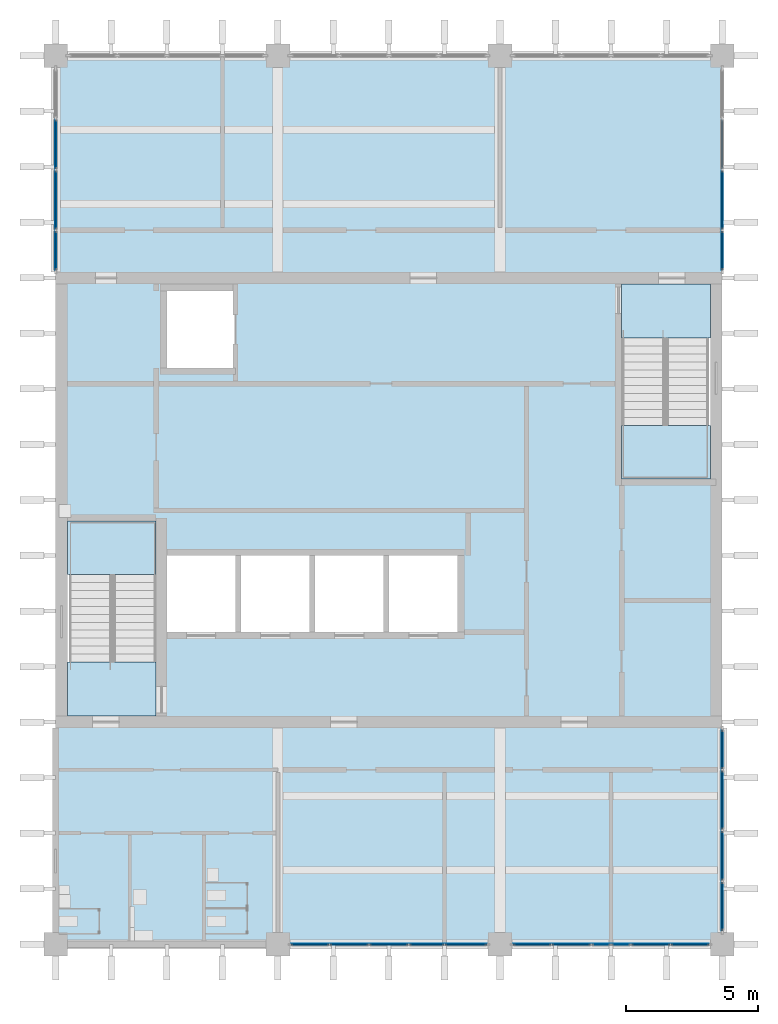
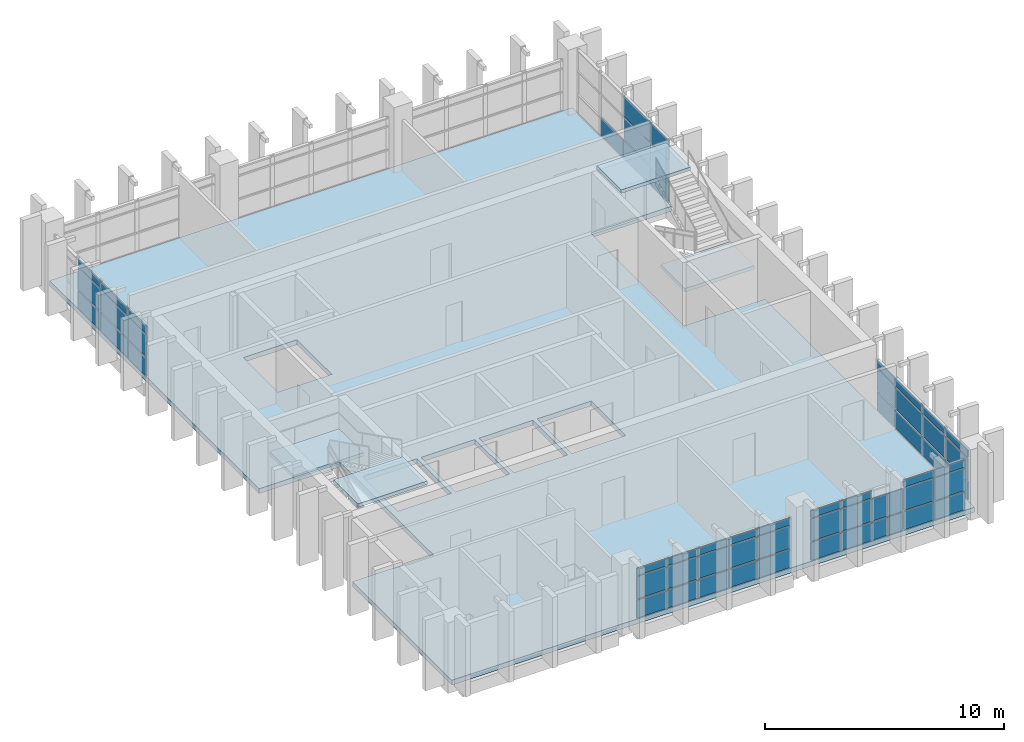
# One storey, part 5 of 11: 59 plates, 5 slabs, 7 elements without a shape of their own.
"""IFC4 building model written with IfcOpenShell, lengths in metres."""

import ifcopenshell
import ifcopenshell.guid

model = None  # the IFC model being written
_history = None  # IfcOwnerHistory: only IFC2X3 demands one
_inside = {}  # id of a spatial element -> (the spatial element, [elements in it])
_under = {}  # id of a project, library or spatial element -> (it, [spatial elements below it])
_declared = {}  # id of a project -> (the project, [libraries it declares])
_typed = {}  # id of a type object -> (the type object, [elements of that type])
_made_of = {}  # id of a material, layer set ... -> (it, [elements and type objects made of it])


def new_model(schema):
    """Start an empty IFC model of exactly this schema.

    Asked for "IFC4X3", IfcOpenShell would pick the latest addendum, in which some entities
    have other attributes; the version numbers below select the first issue.
    IFC2X3 requires an IfcOwnerHistory on every rooted entity: one is made here for all.
    """
    global model, _history
    if schema == "IFC4X3":
        model = ifcopenshell.file(schema_version=(4, 3, 0, 0))
    else:
        model = ifcopenshell.file(schema=schema)
    _inside.clear()
    _under.clear()
    _declared.clear()
    _typed.clear()
    _made_of.clear()
    _history = None
    if model.schema == "IFC2X3":
        org = make("IfcOrganization", Name="unknown")
        user = make(
            "IfcPersonAndOrganization",
            ThePerson=make("IfcPerson", FamilyName="unknown"),
            TheOrganization=org,
        )
        app = make(
            "IfcApplication",
            ApplicationDeveloper=org,
            Version="unknown",
            ApplicationFullName="unknown",
            ApplicationIdentifier="unknown",
        )
        _history = make(
            "IfcOwnerHistory",
            OwningUser=user,
            OwningApplication=app,
            ChangeAction="ADDED",
            CreationDate=0,
        )
    return model


def make(cls, **values):
    """One entity of the class cls with the attributes given. An attribute that is None is left unset."""
    return model.create_entity(
        cls, **{name: value for name, value in values.items() if value is not None}
    )


def rooted(cls, **values):
    """An entity with a GlobalId (a new one), such as an element, a storey or a relation."""
    return make(cls, GlobalId=ifcopenshell.guid.new(), OwnerHistory=_history, **values)


def si_unit(unit_type, name, prefix=None):
    """IfcSIUnit, for example si_unit("LENGTHUNIT", "METRE", prefix="MILLI")."""
    return make("IfcSIUnit", UnitType=unit_type, Prefix=prefix, Name=name)


def assignment(units):
    """IfcUnitAssignment: the units of a project."""
    return None if units is None else make("IfcUnitAssignment", Units=units)


def point(xyz):
    """IfcCartesianPoint."""
    return None if xyz is None else make("IfcCartesianPoint", Coordinates=xyz)


def direction(xyz):
    """IfcDirection."""
    return None if xyz is None else make("IfcDirection", DirectionRatios=xyz)


def frame(location, z_axis=None, x_axis=None):
    """IfcAxis2Placement3D, a coordinate frame: its origin and axes. An axis left out is left unset."""
    return make(
        "IfcAxis2Placement3D",
        Location=point(location),
        Axis=direction(z_axis),
        RefDirection=direction(x_axis),
    )


def frame_2d(location, x_axis=None):
    """IfcAxis2Placement2D, a coordinate frame in the plane: its origin and x axis."""
    return make(
        "IfcAxis2Placement2D", Location=point(location), RefDirection=direction(x_axis)
    )


def origin():
    """The frame at (0, 0, 0) with its axes left unset."""
    return frame((0.0, 0.0, 0.0))


def origin_2d():
    """The frame at (0, 0) in the plane with its x axis left unset."""
    return frame_2d((0.0, 0.0))


def place(relative_to, where):
    """IfcLocalPlacement: puts the frame where relative to a parent placement (None: the world)."""
    return make(
        "IfcLocalPlacement", PlacementRelTo=relative_to, RelativePlacement=where
    )


def context(
    kind, dimensions, precision=None, world=None, true_north=None, identifier=None
):
    """IfcGeometricRepresentationContext, for example the 3D "Model" context."""
    return make(
        "IfcGeometricRepresentationContext",
        ContextIdentifier=identifier,
        ContextType=kind,
        CoordinateSpaceDimension=dimensions,
        Precision=precision,
        WorldCoordinateSystem=world,
        TrueNorth=true_north,
    )


def subcontext(parent, identifier, kind, view, scale=None):
    """IfcGeometricRepresentationSubContext, for example "Body" below "Model"."""
    return make(
        "IfcGeometricRepresentationSubContext",
        ContextIdentifier=identifier,
        ContextType=kind,
        ParentContext=parent,
        TargetScale=scale,
        TargetView=view,
    )


def project(units=None, contexts=None):
    """IfcProject with its units and contexts."""
    return rooted(
        "IfcProject",
        Name="project",
        RepresentationContexts=contexts,
        UnitsInContext=assignment(units),
    )


def spatial(cls, under=None, at=None, **own):
    """A site, building, storey or space (cls), placed at a placement, below another one or the project."""
    s = rooted(cls, ObjectPlacement=at, **own)
    if under is not None:
        _under.setdefault(under.id(), (under, []))[1].append(s)
    return s


def polyline(points):
    """IfcPolyline through the points."""
    return make("IfcPolyline", Points=[point(p) for p in points])


def profile(cls, at=None, kind="AREA", **sizes):
    """A parametric profile (cls). Its sizes go by their IFC names, for example OverallWidth=200.0."""
    return make(cls, ProfileType=kind, Position=at, **sizes)


def rectangle(**sizes):
    """IfcRectangleProfileDef."""
    return profile("IfcRectangleProfileDef", **sizes)


def outline(outer, holes=None, kind="AREA"):
    """IfcArbitraryClosedProfileDef: a profile drawn as a closed curve; with holes, ...WithVoids."""
    if holes is None:
        return make("IfcArbitraryClosedProfileDef", ProfileType=kind, OuterCurve=outer)
    return make(
        "IfcArbitraryProfileDefWithVoids",
        ProfileType=kind,
        OuterCurve=outer,
        InnerCurves=holes,
    )


def extrude(swept, where, along, depth):
    """IfcExtrudedAreaSolid: the profile swept, set in the frame where, extruded along a direction by depth."""
    return make(
        "IfcExtrudedAreaSolid",
        SweptArea=swept,
        Position=where,
        ExtrudedDirection=direction(along),
        Depth=depth,
    )


def shape(context_of_items, identifier, shape_type, items):
    """IfcShapeRepresentation: the items that make up one representation, for example the "Body"."""
    return make(
        "IfcShapeRepresentation",
        ContextOfItems=context_of_items,
        RepresentationIdentifier=identifier,
        RepresentationType=shape_type,
        Items=items,
    )


def material(Name=None, Category=None):
    """IfcMaterial."""
    return make("IfcMaterial", Name=Name, Category=Category)


def layer(
    of_material, thickness, ventilated=None, Name=None, Category=None, Priority=None
):
    """IfcMaterialLayer: one layer of a wall or slab, of a material (None: an air gap)."""
    return make(
        "IfcMaterialLayer",
        Material=of_material,
        LayerThickness=thickness,
        IsVentilated=ventilated,
        Name=Name,
        Category=Category,
        Priority=Priority,
    )


def layer_set(layers, Name=None):
    """IfcMaterialLayerSet."""
    return make("IfcMaterialLayerSet", MaterialLayers=layers, LayerSetName=Name)


def made_of(thing, what):
    """Note that an element or type object is made of a material, layer set ...; save() writes the relation."""
    if what is not None:
        _made_of.setdefault(what.id(), (what, []))[1].append(thing)
    return thing


def type_object(cls, material=None, **own):
    """A type object (cls), such as IfcWallType, which elements share."""
    return made_of(rooted(cls, **own), material)


def element(
    cls,
    number,
    at=None,
    inside=None,
    cuts=None,
    type_object=None,
    material=None,
    context=None,
    identifier="Body",
    shape_type=None,
    held_by="IfcProductDefinitionShape",
    body=None,
    shapes=None,
    **own,
):
    """One element of the class cls, such as IfcWall. Its Tag is "e" and its number.

    at: its placement. inside: the storey or other place that contains it. cuts: it is an
    opening in that element (IfcRelVoidsElement). A single representation is given by context,
    identifier, shape_type and body (its items); several are given by shapes. held_by: the class
    of the entity that holds the representations. save() writes the other relations.
    """
    e = rooted(cls, Tag="e%d" % number, ObjectPlacement=at, **own)
    if body is not None:
        shapes = [shape(context, identifier, shape_type, body)]
    if shapes is not None:
        e.Representation = make(held_by, Representations=shapes)
    if inside is not None:
        _inside.setdefault(inside.id(), (inside, []))[1].append(e)
    if cuts is not None:
        rooted(
            "IfcRelVoidsElement", RelatingBuildingElement=cuts, RelatedOpeningElement=e
        )
    if type_object is not None:
        _typed.setdefault(type_object.id(), (type_object, []))[1].append(e)
    return made_of(e, material)


def aggregate(whole, parts):
    """IfcRelAggregates: a whole, such as a stair, and the parts it consists of."""
    return rooted("IfcRelAggregates", RelatingObject=whole, RelatedObjects=parts)


def save(model, path):
    """Write the relations noted so far, then the file.

    IfcRelAggregates (storeys below a building ...), IfcRelContainedInSpatialStructure (elements
    in a storey), IfcRelDefinesByType, IfcRelAssociatesMaterial and IfcRelDeclares: one each for
    every whole, place, type object, material and project.
    """
    for whole, parts in _under.values():
        aggregate(whole, parts)
    for where, things in _inside.values():
        rooted(
            "IfcRelContainedInSpatialStructure",
            RelatedElements=things,
            RelatingStructure=where,
        )
    for kind, things in _typed.values():
        rooted("IfcRelDefinesByType", RelatedObjects=things, RelatingType=kind)
    for what, things in _made_of.values():
        rooted("IfcRelAssociatesMaterial", RelatedObjects=things, RelatingMaterial=what)
    for by, libraries in _declared.values():
        rooted("IfcRelDeclares", RelatingContext=by, RelatedDefinitions=libraries)
    model.write(path)


model = new_model("IFC4")

# Units and contexts
model_context = context("Model", 3, precision=1e-05, world=origin(), true_north=direction((0.0, 1.0)))
body_context = subcontext(model_context, "Body", "Model", "MODEL_VIEW")
ifc_project = project(units=[si_unit("LENGTHUNIT", "METRE"), si_unit("AREAUNIT", "SQUARE_METRE"), si_unit("VOLUMEUNIT", "CUBIC_METRE"), si_unit("PLANEANGLEUNIT", "RADIAN"), si_unit("MASSUNIT", "GRAM", prefix="KILO")], contexts=[model_context])

# Site, building, storey
site_placement = place(None, origin())
site = spatial("IfcSite", under=ifc_project, at=site_placement, CompositionType="ELEMENT")
building_placement = place(site_placement, origin())
building = spatial("IfcBuilding", under=site, at=building_placement, Name="Rulbaag Community and Learning Centre", CompositionType="ELEMENT")
storey_placement = place(building_placement, frame((0.0, 0.0, 32.39990234375)))
storey = spatial("IfcBuildingStorey", under=building, at=storey_placement, Name="L08", CompositionType="ELEMENT", Elevation=32.39990234375)

# Curtain wall, plates
ifc_material_1 = material(Name="Aluminium", Category="aluminium")
ifc_layer_1 = layer(ifc_material_1, 0.14990234375)
ifc_layer_set_1 = layer_set([ifc_layer_1], Name="CW-S")
curtain_wall_type_1 = type_object("IfcCurtainWallType", Name="CW-S", PredefinedType="USERDEFINED", material=ifc_layer_set_1)
curtain_wall_1_placement = place(storey_placement, origin())
curtain_wall_1 = element("IfcCurtainWall", 1, at=curtain_wall_1_placement, inside=storey, type_object=curtain_wall_type_1, Name="GS-L08-01", ObjectType="UNITISED CURTAIN WALL", PredefinedType="USERDEFINED")
ifc_layer_2 = layer(ifc_material_1, 0.054931640625)
ifc_layer_set_2 = layer_set([ifc_layer_2], Name="CW-S-SPN")
plate_type_1 = type_object("IfcPlateType", Name="CW-S-SPN", PredefinedType="CURTAIN_PANEL", material=ifc_layer_set_2)
plate_1_placement = place(storey_placement, frame((152.4150390625, 84.0, 0.06005859375), z_axis=(0.0, 0.0, 1.0), x_axis=(1.0, 0.0, 0.0)))
plate_1 = element("IfcPlate", 2, at=plate_1_placement, type_object=plate_type_1, Name="GS spandrel panel", PredefinedType="CURTAIN_PANEL", context=body_context, shape_type="SweptSolid", body=[
    extrude(rectangle(XDim=1.409912109375, YDim=0.054931640625, at=origin_2d()), origin(), (0.0, 0.0, 1.0), 0.909912109375),
])
plate_2_placement = place(storey_placement, frame((152.4150390625, 84.0, 2.22998046875), z_axis=(0.0, 0.0, 1.0), x_axis=(1.0, 0.0, 0.0)))
plate_2 = element("IfcPlate", 3, at=plate_2_placement, type_object=plate_type_1, Name="GS spandrel panel", PredefinedType="CURTAIN_PANEL", context=body_context, shape_type="SweptSolid", body=[
    extrude(rectangle(XDim=1.409912109375, YDim=0.054931640625, at=origin_2d()), origin(), (0.0, 0.0, 1.0), 0.360107421875),
])
plate_3_placement = place(storey_placement, frame((153.89990234375, 84.0, 0.06005859375), z_axis=(0.0, 0.0, 1.0), x_axis=(1.0, 0.0, 0.0)))
plate_3 = element("IfcPlate", 4, at=plate_3_placement, type_object=plate_type_1, Name="GS spandrel panel", PredefinedType="CURTAIN_PANEL", context=body_context, shape_type="SweptSolid", body=[
    extrude(rectangle(XDim=1.43994140625, YDim=0.054931640625, at=origin_2d()), origin(), (0.0, 0.0, 1.0), 0.909912109375),
])
plate_4_placement = place(storey_placement, frame((153.89990234375, 84.0, 2.22998046875), z_axis=(0.0, 0.0, 1.0), x_axis=(1.0, 0.0, 0.0)))
plate_4 = element("IfcPlate", 5, at=plate_4_placement, type_object=plate_type_1, Name="GS spandrel panel", PredefinedType="CURTAIN_PANEL", context=body_context, shape_type="SweptSolid", body=[
    extrude(rectangle(XDim=1.43994140625, YDim=0.054931640625, at=origin_2d()), origin(), (0.0, 0.0, 1.0), 0.360107421875),
])
plate_5_placement = place(storey_placement, frame((155.39990234375, 84.0, 0.06005859375), z_axis=(0.0, 0.0, 1.0), x_axis=(1.0, 0.0, 0.0)))
plate_5 = element("IfcPlate", 6, at=plate_5_placement, type_object=plate_type_1, Name="GS spandrel panel", PredefinedType="CURTAIN_PANEL", context=body_context, shape_type="SweptSolid", body=[
    extrude(rectangle(XDim=1.43994140625, YDim=0.054931640625, at=origin_2d()), origin(), (0.0, 0.0, 1.0), 0.909912109375),
])
plate_6_placement = place(storey_placement, frame((155.39990234375, 84.0, 2.22998046875), z_axis=(0.0, 0.0, 1.0), x_axis=(1.0, 0.0, 0.0)))
plate_6 = element("IfcPlate", 7, at=plate_6_placement, type_object=plate_type_1, Name="GS spandrel panel", PredefinedType="CURTAIN_PANEL", context=body_context, shape_type="SweptSolid", body=[
    extrude(rectangle(XDim=1.43994140625, YDim=0.054931640625, at=origin_2d()), origin(), (0.0, 0.0, 1.0), 0.360107421875),
])
plate_7_placement = place(storey_placement, frame((156.824951171875, 84.0, 0.06005859375), z_axis=(0.0, 0.0, 1.0), x_axis=(1.0, 0.0, 0.0)))
plate_7 = element("IfcPlate", 8, at=plate_7_placement, type_object=plate_type_1, Name="GS spandrel panel", PredefinedType="CURTAIN_PANEL", context=body_context, shape_type="SweptSolid", body=[
    extrude(rectangle(XDim=1.2900390625, YDim=0.054931640625, at=origin_2d()), origin(), (0.0, 0.0, 1.0), 0.909912109375),
])
plate_8_placement = place(storey_placement, frame((156.824951171875, 84.0, 2.22998046875), z_axis=(0.0, 0.0, 1.0), x_axis=(1.0, 0.0, 0.0)))
plate_8 = element("IfcPlate", 9, at=plate_8_placement, type_object=plate_type_1, Name="GS spandrel panel", PredefinedType="CURTAIN_PANEL", context=body_context, shape_type="SweptSolid", body=[
    extrude(rectangle(XDim=1.2900390625, YDim=0.054931640625, at=origin_2d()), origin(), (0.0, 0.0, 1.0), 0.360107421875),
])
plate_9_placement = place(storey_placement, frame((158.31005859375, 84.0, 0.06005859375), z_axis=(0.0, 0.0, 1.0), x_axis=(1.0, 0.0, 0.0)))
plate_9 = element("IfcPlate", 10, at=plate_9_placement, type_object=plate_type_1, Name="GS spandrel panel", PredefinedType="CURTAIN_PANEL", context=body_context, shape_type="SweptSolid", body=[
    extrude(rectangle(XDim=1.56005859375, YDim=0.054931640625, at=origin_2d()), origin(), (0.0, 0.0, 1.0), 0.909912109375),
])
plate_10_placement = place(storey_placement, frame((158.31005859375, 84.0, 2.22998046875), z_axis=(0.0, 0.0, 1.0), x_axis=(1.0, 0.0, 0.0)))
plate_10 = element("IfcPlate", 11, at=plate_10_placement, type_object=plate_type_1, Name="GS spandrel panel", PredefinedType="CURTAIN_PANEL", context=body_context, shape_type="SweptSolid", body=[
    extrude(rectangle(XDim=1.56005859375, YDim=0.054931640625, at=origin_2d()), origin(), (0.0, 0.0, 1.0), 0.360107421875),
])

curtain_wall_2_placement = place(storey_placement, origin())
curtain_wall_2 = element("IfcCurtainWall", 12, at=curtain_wall_2_placement, inside=storey, type_object=curtain_wall_type_1, Name="GS-L08-02", ObjectType="UNITISED CURTAIN WALL", PredefinedType="USERDEFINED")
plate_11_placement = place(storey_placement, frame((160.81494140625, 84.0, 0.06005859375), z_axis=(0.0, 0.0, 1.0), x_axis=(1.0, 0.0, 0.0)))
plate_11 = element("IfcPlate", 13, at=plate_11_placement, type_object=plate_type_1, Name="GS spandrel panel", PredefinedType="CURTAIN_PANEL", context=body_context, shape_type="SweptSolid", body=[
    extrude(rectangle(XDim=1.409912109375, YDim=0.054931640625, at=origin_2d()), origin(), (0.0, 0.0, 1.0), 0.909912109375),
])
plate_12_placement = place(storey_placement, frame((160.81494140625, 84.0, 2.22998046875), z_axis=(0.0, 0.0, 1.0), x_axis=(1.0, 0.0, 0.0)))
plate_12 = element("IfcPlate", 14, at=plate_12_placement, type_object=plate_type_1, Name="GS spandrel panel", PredefinedType="CURTAIN_PANEL", context=body_context, shape_type="SweptSolid", body=[
    extrude(rectangle(XDim=1.409912109375, YDim=0.054931640625, at=origin_2d()), origin(), (0.0, 0.0, 1.0), 0.360107421875),
])
plate_13_placement = place(storey_placement, frame((162.300048828125, 84.0, 0.06005859375), z_axis=(0.0, 0.0, 1.0), x_axis=(1.0, 0.0, 0.0)))
plate_13 = element("IfcPlate", 15, at=plate_13_placement, type_object=plate_type_1, Name="GS spandrel panel", PredefinedType="CURTAIN_PANEL", context=body_context, shape_type="SweptSolid", body=[
    extrude(rectangle(XDim=1.43994140625, YDim=0.054931640625, at=origin_2d()), origin(), (0.0, 0.0, 1.0), 0.909912109375),
])
plate_14_placement = place(storey_placement, frame((162.300048828125, 84.0, 2.22998046875), z_axis=(0.0, 0.0, 1.0), x_axis=(1.0, 0.0, 0.0)))
plate_14 = element("IfcPlate", 16, at=plate_14_placement, type_object=plate_type_1, Name="GS spandrel panel", PredefinedType="CURTAIN_PANEL", context=body_context, shape_type="SweptSolid", body=[
    extrude(rectangle(XDim=1.43994140625, YDim=0.054931640625, at=origin_2d()), origin(), (0.0, 0.0, 1.0), 0.360107421875),
])
plate_15_placement = place(storey_placement, frame((163.425048828125, 84.0, 0.06005859375), z_axis=(0.0, 0.0, 1.0), x_axis=(1.0, 0.0, 0.0)))
plate_15 = element("IfcPlate", 17, at=plate_15_placement, type_object=plate_type_1, Name="GS spandrel panel", PredefinedType="CURTAIN_PANEL", context=body_context, shape_type="SweptSolid", body=[
    extrude(rectangle(XDim=0.68994140625, YDim=0.054931640625, at=origin_2d()), origin(), (0.0, 0.0, 1.0), 0.909912109375),
])
plate_16_placement = place(storey_placement, frame((164.175048828125, 84.0, 0.06005859375), z_axis=(0.0, 0.0, 1.0), x_axis=(1.0, 0.0, 0.0)))
plate_16 = element("IfcPlate", 18, at=plate_16_placement, type_object=plate_type_1, Name="GS spandrel panel", PredefinedType="CURTAIN_PANEL", context=body_context, shape_type="SweptSolid", body=[
    extrude(rectangle(XDim=0.68994140625, YDim=0.054931640625, at=origin_2d()), origin(), (0.0, 0.0, 1.0), 0.909912109375),
])
plate_17_placement = place(storey_placement, frame((165.300048828125, 84.0, 0.06005859375), z_axis=(0.0, 0.0, 1.0), x_axis=(1.0, 0.0, 0.0)))
plate_17 = element("IfcPlate", 19, at=plate_17_placement, type_object=plate_type_1, Name="GS spandrel panel", PredefinedType="CURTAIN_PANEL", context=body_context, shape_type="SweptSolid", body=[
    extrude(rectangle(XDim=1.43994140625, YDim=0.054931640625, at=origin_2d()), origin(), (0.0, 0.0, 1.0), 0.909912109375),
])
plate_18_placement = place(storey_placement, frame((165.300048828125, 84.0, 2.22998046875), z_axis=(0.0, 0.0, 1.0), x_axis=(1.0, 0.0, 0.0)))
plate_18 = element("IfcPlate", 20, at=plate_18_placement, type_object=plate_type_1, Name="GS spandrel panel", PredefinedType="CURTAIN_PANEL", context=body_context, shape_type="SweptSolid", body=[
    extrude(rectangle(XDim=1.43994140625, YDim=0.054931640625, at=origin_2d()), origin(), (0.0, 0.0, 1.0), 0.360107421875),
])
plate_19_placement = place(storey_placement, frame((166.784912109375, 84.0, 0.06005859375), z_axis=(0.0, 0.0, 1.0), x_axis=(1.0, 0.0, 0.0)))
plate_19 = element("IfcPlate", 21, at=plate_19_placement, type_object=plate_type_1, Name="GS spandrel panel", PredefinedType="CURTAIN_PANEL", context=body_context, shape_type="SweptSolid", body=[
    extrude(rectangle(XDim=1.409912109375, YDim=0.054931640625, at=origin_2d()), origin(), (0.0, 0.0, 1.0), 0.909912109375),
])
plate_20_placement = place(storey_placement, frame((166.784912109375, 84.0, 2.22998046875), z_axis=(0.0, 0.0, 1.0), x_axis=(1.0, 0.0, 0.0)))
plate_20 = element("IfcPlate", 22, at=plate_20_placement, type_object=plate_type_1, Name="GS spandrel panel", PredefinedType="CURTAIN_PANEL", context=body_context, shape_type="SweptSolid", body=[
    extrude(rectangle(XDim=1.409912109375, YDim=0.054931640625, at=origin_2d()), origin(), (0.0, 0.0, 1.0), 0.360107421875),
])

# Plate
ifc_material_2 = material(Name="Glass", Category="glass")
ifc_layer_3 = layer(ifc_material_2, 0.030029296875)
ifc_layer_set_3 = layer_set([ifc_layer_3], Name="CW-S-VIS")
plate_type_2 = type_object("IfcPlateType", Name="CW-S-VIS", PredefinedType="CURTAIN_PANEL", material=ifc_layer_set_3)
plate_21_placement = place(storey_placement, frame((152.4150390625, 84.0, 1.0302734375), z_axis=(0.0, 0.0, 1.0), x_axis=(1.0, 0.0, 0.0)))
plate_21 = element("IfcPlate", 23, at=plate_21_placement, type_object=plate_type_2, Name="GS vision panel", PredefinedType="CURTAIN_PANEL", context=body_context, shape_type="SweptSolid", body=[
    extrude(rectangle(XDim=1.409912109375, YDim=0.030029296875, at=origin_2d()), origin(), (0.0, 0.0, 1.0), 1.139892578125),
])

plate_22_placement = place(storey_placement, frame((153.89990234375, 84.0, 1.0302734375), z_axis=(0.0, 0.0, 1.0), x_axis=(1.0, 0.0, 0.0)))
plate_22 = element("IfcPlate", 24, at=plate_22_placement, type_object=plate_type_2, Name="GS vision panel", PredefinedType="CURTAIN_PANEL", context=body_context, shape_type="SweptSolid", body=[
    extrude(rectangle(XDim=1.43994140625, YDim=0.030029296875, at=origin_2d()), origin(), (0.0, 0.0, 1.0), 1.139892578125),
])

plate_23_placement = place(storey_placement, frame((155.39990234375, 84.0, 1.0302734375), z_axis=(0.0, 0.0, 1.0), x_axis=(1.0, 0.0, 0.0)))
plate_23 = element("IfcPlate", 25, at=plate_23_placement, type_object=plate_type_2, Name="GS vision panel", PredefinedType="CURTAIN_PANEL", context=body_context, shape_type="SweptSolid", body=[
    extrude(rectangle(XDim=1.43994140625, YDim=0.030029296875, at=origin_2d()), origin(), (0.0, 0.0, 1.0), 1.139892578125),
])

plate_24_placement = place(storey_placement, frame((156.824951171875, 84.0, 1.0302734375), z_axis=(0.0, 0.0, 1.0), x_axis=(1.0, 0.0, 0.0)))
plate_24 = element("IfcPlate", 26, at=plate_24_placement, type_object=plate_type_2, Name="GS vision panel", PredefinedType="CURTAIN_PANEL", context=body_context, shape_type="SweptSolid", body=[
    extrude(rectangle(XDim=1.2900390625, YDim=0.030029296875, at=origin_2d()), origin(), (0.0, 0.0, 1.0), 1.139892578125),
])

plate_25_placement = place(storey_placement, frame((158.31005859375, 84.0, 1.0302734375), z_axis=(0.0, 0.0, 1.0), x_axis=(1.0, 0.0, 0.0)))
plate_25 = element("IfcPlate", 27, at=plate_25_placement, type_object=plate_type_2, Name="GS vision panel", PredefinedType="CURTAIN_PANEL", context=body_context, shape_type="SweptSolid", body=[
    extrude(rectangle(XDim=1.56005859375, YDim=0.030029296875, at=origin_2d()), origin(), (0.0, 0.0, 1.0), 1.139892578125),
])

aggregate(curtain_wall_1, [plate_1, plate_21, plate_2, plate_3, plate_22, plate_4, plate_5, plate_23, plate_6, plate_7, plate_24, plate_8, plate_9, plate_25, plate_10])

plate_26_placement = place(storey_placement, frame((160.81494140625, 84.0, 1.0302734375), z_axis=(0.0, 0.0, 1.0), x_axis=(1.0, 0.0, 0.0)))
plate_26 = element("IfcPlate", 28, at=plate_26_placement, type_object=plate_type_2, Name="GS vision panel", PredefinedType="CURTAIN_PANEL", context=body_context, shape_type="SweptSolid", body=[
    extrude(rectangle(XDim=1.409912109375, YDim=0.030029296875, at=origin_2d()), origin(), (0.0, 0.0, 1.0), 1.139892578125),
])

plate_27_placement = place(storey_placement, frame((162.300048828125, 84.0, 1.0302734375), z_axis=(0.0, 0.0, 1.0), x_axis=(1.0, 0.0, 0.0)))
plate_27 = element("IfcPlate", 29, at=plate_27_placement, type_object=plate_type_2, Name="GS vision panel", PredefinedType="CURTAIN_PANEL", context=body_context, shape_type="SweptSolid", body=[
    extrude(rectangle(XDim=1.43994140625, YDim=0.030029296875, at=origin_2d()), origin(), (0.0, 0.0, 1.0), 1.139892578125),
])

plate_28_placement = place(storey_placement, frame((163.425048828125, 84.0, 1.0302734375), z_axis=(0.0, 0.0, 1.0), x_axis=(1.0, 0.0, 0.0)))
plate_28 = element("IfcPlate", 30, at=plate_28_placement, type_object=plate_type_2, Name="GS vision panel", PredefinedType="CURTAIN_PANEL", context=body_context, shape_type="SweptSolid", body=[
    extrude(rectangle(XDim=0.68994140625, YDim=0.030029296875, at=origin_2d()), origin(), (0.0, 0.0, 1.0), 1.139892578125),
])

plate_29_placement = place(storey_placement, frame((164.175048828125, 84.0, 1.0302734375), z_axis=(0.0, 0.0, 1.0), x_axis=(1.0, 0.0, 0.0)))
plate_29 = element("IfcPlate", 31, at=plate_29_placement, type_object=plate_type_2, Name="GS vision panel", PredefinedType="CURTAIN_PANEL", context=body_context, shape_type="SweptSolid", body=[
    extrude(rectangle(XDim=0.68994140625, YDim=0.030029296875, at=origin_2d()), origin(), (0.0, 0.0, 1.0), 1.139892578125),
])

plate_30_placement = place(storey_placement, frame((165.300048828125, 84.0, 1.0302734375), z_axis=(0.0, 0.0, 1.0), x_axis=(1.0, 0.0, 0.0)))
plate_30 = element("IfcPlate", 32, at=plate_30_placement, type_object=plate_type_2, Name="GS vision panel", PredefinedType="CURTAIN_PANEL", context=body_context, shape_type="SweptSolid", body=[
    extrude(rectangle(XDim=1.43994140625, YDim=0.030029296875, at=origin_2d()), origin(), (0.0, 0.0, 1.0), 1.139892578125),
])

plate_31_placement = place(storey_placement, frame((166.784912109375, 84.0, 1.0302734375), z_axis=(0.0, 0.0, 1.0), x_axis=(1.0, 0.0, 0.0)))
plate_31 = element("IfcPlate", 33, at=plate_31_placement, type_object=plate_type_2, Name="GS vision panel", PredefinedType="CURTAIN_PANEL", context=body_context, shape_type="SweptSolid", body=[
    extrude(rectangle(XDim=1.409912109375, YDim=0.030029296875, at=origin_2d()), origin(), (0.0, 0.0, 1.0), 1.139892578125),
])

aggregate(curtain_wall_2, [plate_11, plate_26, plate_12, plate_13, plate_27, plate_14, plate_15, plate_28, plate_16, plate_29, plate_17, plate_30, plate_18, plate_19, plate_31, plate_20])

# Curtain wall, plates
ifc_layer_4 = layer(ifc_material_1, 0.14990234375)
ifc_layer_set_4 = layer_set([ifc_layer_4], Name="CW-T")
curtain_wall_type_2 = type_object("IfcCurtainWallType", Name="CW-T", PredefinedType="USERDEFINED", material=ifc_layer_set_4)
curtain_wall_3_placement = place(storey_placement, origin())
curtain_wall_3 = element("IfcCurtainWall", 34, at=curtain_wall_3_placement, inside=storey, type_object=curtain_wall_type_2, Name="GT-L08-04", ObjectType="UNITISED CURTAIN WALL", PredefinedType="USERDEFINED")
ifc_layer_5 = layer(ifc_material_1, 0.06005859375)
ifc_layer_set_5 = layer_set([ifc_layer_5], Name="CW-T-SPN")
plate_type_3 = type_object("IfcPlateType", Name="CW-T-SPN", PredefinedType="CURTAIN_PANEL", material=ifc_layer_set_5)
plate_32_placement = place(storey_placement, frame((142.800048828125, 110.228759765625, 0.06494140625), z_axis=(0.0, 0.0, 1.0), x_axis=(0.0, 1.0, 0.0)))
plate_32 = element("IfcPlate", 35, at=plate_32_placement, type_object=plate_type_3, Name="GT spandrel panel", PredefinedType="CURTAIN_PANEL", context=body_context, shape_type="SweptSolid", body=[
    extrude(rectangle(XDim=1.4775390625, YDim=0.06005859375, at=origin_2d()), origin(), (0.0, 0.0, 1.0), 0.902587890625),
])
plate_33_placement = place(storey_placement, frame((142.800048828125, 110.228759765625, 2.232666015625), z_axis=(0.0, 0.0, 1.0), x_axis=(0.0, 1.0, 0.0)))
plate_33 = element("IfcPlate", 36, at=plate_33_placement, type_object=plate_type_3, Name="GT spandrel panel", PredefinedType="CURTAIN_PANEL", context=body_context, shape_type="SweptSolid", body=[
    extrude(rectangle(XDim=1.4775390625, YDim=0.06005859375, at=origin_2d()), origin(), (0.0, 0.0, 1.0), 0.3525390625),
])
plate_34_placement = place(storey_placement, frame((142.800048828125, 112.143798828125, 0.06494140625), z_axis=(0.0, 0.0, 1.0), x_axis=(0.0, 1.0, 0.0)))
plate_34 = element("IfcPlate", 37, at=plate_34_placement, type_object=plate_type_3, Name="GT spandrel panel", PredefinedType="CURTAIN_PANEL", context=body_context, shape_type="SweptSolid", body=[
    extrude(rectangle(XDim=2.222412109375, YDim=0.06005859375, at=origin_2d()), origin(), (0.0, 0.0, 1.0), 0.902587890625),
])
plate_35_placement = place(storey_placement, frame((142.800048828125, 112.143798828125, 2.232666015625), z_axis=(0.0, 0.0, 1.0), x_axis=(0.0, 1.0, 0.0)))
plate_35 = element("IfcPlate", 38, at=plate_35_placement, type_object=plate_type_3, Name="GT spandrel panel", PredefinedType="CURTAIN_PANEL", context=body_context, shape_type="SweptSolid", body=[
    extrude(rectangle(XDim=2.222412109375, YDim=0.06005859375, at=origin_2d()), origin(), (0.0, 0.0, 1.0), 0.3525390625),
])
plate_36_placement = place(storey_placement, frame((142.800048828125, 114.253173828125, 0.06494140625), z_axis=(0.0, 0.0, 1.0), x_axis=(0.0, 1.0, 0.0)))
plate_36 = element("IfcPlate", 39, at=plate_36_placement, type_object=plate_type_3, Name="GT spandrel panel", PredefinedType="CURTAIN_PANEL", context=body_context, shape_type="SweptSolid", body=[
    extrude(rectangle(XDim=1.8662109375, YDim=0.06005859375, at=origin_2d()), origin(), (0.0, 0.0, 1.0), 0.902587890625),
])
plate_37_placement = place(storey_placement, frame((142.800048828125, 114.253173828125, 2.232666015625), z_axis=(0.0, 0.0, 1.0), x_axis=(0.0, 1.0, 0.0)))
plate_37 = element("IfcPlate", 40, at=plate_37_placement, type_object=plate_type_3, Name="GT spandrel panel", PredefinedType="CURTAIN_PANEL", context=body_context, shape_type="SweptSolid", body=[
    extrude(rectangle(XDim=1.8662109375, YDim=0.06005859375, at=origin_2d()), origin(), (0.0, 0.0, 1.0), 0.3525390625),
])

curtain_wall_4_placement = place(storey_placement, origin())
curtain_wall_4 = element("IfcCurtainWall", 41, at=curtain_wall_4_placement, inside=storey, type_object=curtain_wall_type_2, Name="GT-L08-05", ObjectType="UNITISED CURTAIN WALL", PredefinedType="USERDEFINED")
plate_38_placement = place(storey_placement, frame((168.0, 85.431884765625, 0.06494140625), z_axis=(0.0, 0.0, 1.0), x_axis=(0.0, 1.0, 0.0)))
plate_38 = element("IfcPlate", 42, at=plate_38_placement, type_object=plate_type_3, Name="GT spandrel panel", PredefinedType="CURTAIN_PANEL", context=body_context, shape_type="SweptSolid", body=[
    extrude(rectangle(XDim=1.833740234375, YDim=0.06005859375, at=origin_2d()), origin(), (0.0, 0.0, 1.0), 0.902587890625),
])
plate_39_placement = place(storey_placement, frame((168.0, 85.431884765625, 2.232666015625), z_axis=(0.0, 0.0, 1.0), x_axis=(0.0, 1.0, 0.0)))
plate_39 = element("IfcPlate", 43, at=plate_39_placement, type_object=plate_type_3, Name="GT spandrel panel", PredefinedType="CURTAIN_PANEL", context=body_context, shape_type="SweptSolid", body=[
    extrude(rectangle(XDim=1.833740234375, YDim=0.06005859375, at=origin_2d()), origin(), (0.0, 0.0, 1.0), 0.3525390625),
])
plate_40_placement = place(storey_placement, frame((168.0, 87.346923828125, 0.06494140625), z_axis=(0.0, 0.0, 1.0), x_axis=(0.0, 1.0, 0.0)))
plate_40 = element("IfcPlate", 44, at=plate_40_placement, type_object=plate_type_3, Name="GT spandrel panel", PredefinedType="CURTAIN_PANEL", context=body_context, shape_type="SweptSolid", body=[
    extrude(rectangle(XDim=1.8662109375, YDim=0.06005859375, at=origin_2d()), origin(), (0.0, 0.0, 1.0), 0.902587890625),
])
plate_41_placement = place(storey_placement, frame((168.0, 87.346923828125, 2.232666015625), z_axis=(0.0, 0.0, 1.0), x_axis=(0.0, 1.0, 0.0)))
plate_41 = element("IfcPlate", 45, at=plate_41_placement, type_object=plate_type_3, Name="GT spandrel panel", PredefinedType="CURTAIN_PANEL", context=body_context, shape_type="SweptSolid", body=[
    extrude(rectangle(XDim=1.8662109375, YDim=0.06005859375, at=origin_2d()), origin(), (0.0, 0.0, 1.0), 0.3525390625),
])
plate_42_placement = place(storey_placement, frame((168.0, 89.456298828125, 0.06494140625), z_axis=(0.0, 0.0, 1.0), x_axis=(0.0, 1.0, 0.0)))
plate_42 = element("IfcPlate", 46, at=plate_42_placement, type_object=plate_type_3, Name="GT spandrel panel", PredefinedType="CURTAIN_PANEL", context=body_context, shape_type="SweptSolid", body=[
    extrude(rectangle(XDim=2.222412109375, YDim=0.06005859375, at=origin_2d()), origin(), (0.0, 0.0, 1.0), 0.902587890625),
])
plate_43_placement = place(storey_placement, frame((168.0, 89.456298828125, 2.232666015625), z_axis=(0.0, 0.0, 1.0), x_axis=(0.0, 1.0, 0.0)))
plate_43 = element("IfcPlate", 47, at=plate_43_placement, type_object=plate_type_3, Name="GT spandrel panel", PredefinedType="CURTAIN_PANEL", context=body_context, shape_type="SweptSolid", body=[
    extrude(rectangle(XDim=2.222412109375, YDim=0.06005859375, at=origin_2d()), origin(), (0.0, 0.0, 1.0), 0.3525390625),
])
plate_44_placement = place(storey_placement, frame((168.0, 91.371337890625, 0.06494140625), z_axis=(0.0, 0.0, 1.0), x_axis=(0.0, 1.0, 0.0)))
plate_44 = element("IfcPlate", 48, at=plate_44_placement, type_object=plate_type_3, Name="GT spandrel panel", PredefinedType="CURTAIN_PANEL", context=body_context, shape_type="SweptSolid", body=[
    extrude(rectangle(XDim=1.4775390625, YDim=0.06005859375, at=origin_2d()), origin(), (0.0, 0.0, 1.0), 0.902587890625),
])
plate_45_placement = place(storey_placement, frame((168.0, 91.371337890625, 2.232666015625), z_axis=(0.0, 0.0, 1.0), x_axis=(0.0, 1.0, 0.0)))
plate_45 = element("IfcPlate", 49, at=plate_45_placement, type_object=plate_type_3, Name="GT spandrel panel", PredefinedType="CURTAIN_PANEL", context=body_context, shape_type="SweptSolid", body=[
    extrude(rectangle(XDim=1.4775390625, YDim=0.06005859375, at=origin_2d()), origin(), (0.0, 0.0, 1.0), 0.3525390625),
])

curtain_wall_5_placement = place(storey_placement, origin())
curtain_wall_5 = element("IfcCurtainWall", 50, at=curtain_wall_5_placement, inside=storey, type_object=curtain_wall_type_2, Name="GT-L08-06", ObjectType="UNITISED CURTAIN WALL", PredefinedType="USERDEFINED")
plate_46_placement = place(storey_placement, frame((168.0, 110.228759765625, 0.06494140625), z_axis=(0.0, 0.0, 1.0), x_axis=(0.0, 1.0, 0.0)))
plate_46 = element("IfcPlate", 51, at=plate_46_placement, type_object=plate_type_3, Name="GT spandrel panel", PredefinedType="CURTAIN_PANEL", context=body_context, shape_type="SweptSolid", body=[
    extrude(rectangle(XDim=1.4775390625, YDim=0.06005859375, at=origin_2d()), origin(), (0.0, 0.0, 1.0), 0.902587890625),
])
plate_47_placement = place(storey_placement, frame((168.0, 110.228759765625, 2.232666015625), z_axis=(0.0, 0.0, 1.0), x_axis=(0.0, 1.0, 0.0)))
plate_47 = element("IfcPlate", 52, at=plate_47_placement, type_object=plate_type_3, Name="GT spandrel panel", PredefinedType="CURTAIN_PANEL", context=body_context, shape_type="SweptSolid", body=[
    extrude(rectangle(XDim=1.4775390625, YDim=0.06005859375, at=origin_2d()), origin(), (0.0, 0.0, 1.0), 1.00244140625),
])
plate_48_placement = place(storey_placement, frame((168.0, 112.143798828125, 0.06494140625), z_axis=(0.0, 0.0, 1.0), x_axis=(0.0, 1.0, 0.0)))
plate_48 = element("IfcPlate", 53, at=plate_48_placement, type_object=plate_type_3, Name="GT spandrel panel", PredefinedType="CURTAIN_PANEL", context=body_context, shape_type="SweptSolid", body=[
    extrude(rectangle(XDim=2.222412109375, YDim=0.06005859375, at=origin_2d()), origin(), (0.0, 0.0, 1.0), 0.902587890625),
])
plate_49_placement = place(storey_placement, frame((168.0, 112.143798828125, 2.232666015625), z_axis=(0.0, 0.0, 1.0), x_axis=(0.0, 1.0, 0.0)))
plate_49 = element("IfcPlate", 54, at=plate_49_placement, type_object=plate_type_3, Name="GT spandrel panel", PredefinedType="CURTAIN_PANEL", context=body_context, shape_type="SweptSolid", body=[
    extrude(rectangle(XDim=2.222412109375, YDim=0.06005859375, at=origin_2d()), origin(), (0.0, 0.0, 1.0), 1.00244140625),
])
plate_50_placement = place(storey_placement, frame((168.0, 114.253173828125, 0.06494140625), z_axis=(0.0, 0.0, 1.0), x_axis=(0.0, 1.0, 0.0)))
plate_50 = element("IfcPlate", 55, at=plate_50_placement, type_object=plate_type_3, Name="GT spandrel panel", PredefinedType="CURTAIN_PANEL", context=body_context, shape_type="SweptSolid", body=[
    extrude(rectangle(XDim=1.8662109375, YDim=0.06005859375, at=origin_2d()), origin(), (0.0, 0.0, 1.0), 0.902587890625),
])

# Plate
ifc_layer_6 = layer(ifc_material_2, 0.028076171875)
ifc_layer_set_6 = layer_set([ifc_layer_6], Name="CW-T-VIS")
plate_type_4 = type_object("IfcPlateType", Name="CW-T-VIS", PredefinedType="CURTAIN_PANEL", material=ifc_layer_set_6)
plate_51_placement = place(storey_placement, frame((142.800048828125, 110.228759765625, 1.03271484375), z_axis=(0.0, 0.0, 1.0), x_axis=(0.0, 1.0, 0.0)))
plate_51 = element("IfcPlate", 56, at=plate_51_placement, type_object=plate_type_4, Name="GT vision panel", PredefinedType="CURTAIN_PANEL", context=body_context, shape_type="SweptSolid", body=[
    extrude(rectangle(XDim=1.4775390625, YDim=0.028076171875, at=origin_2d()), origin(), (0.0, 0.0, 1.0), 1.135009765625),
])

plate_52_placement = place(storey_placement, frame((142.800048828125, 112.143798828125, 1.03271484375), z_axis=(0.0, 0.0, 1.0), x_axis=(0.0, 1.0, 0.0)))
plate_52 = element("IfcPlate", 57, at=plate_52_placement, type_object=plate_type_4, Name="GT vision panel", PredefinedType="CURTAIN_PANEL", context=body_context, shape_type="SweptSolid", body=[
    extrude(rectangle(XDim=2.222412109375, YDim=0.028076171875, at=origin_2d()), origin(), (0.0, 0.0, 1.0), 1.135009765625),
])

plate_53_placement = place(storey_placement, frame((142.800048828125, 114.253173828125, 1.03271484375), z_axis=(0.0, 0.0, 1.0), x_axis=(0.0, 1.0, 0.0)))
plate_53 = element("IfcPlate", 58, at=plate_53_placement, type_object=plate_type_4, Name="GT vision panel", PredefinedType="CURTAIN_PANEL", context=body_context, shape_type="SweptSolid", body=[
    extrude(rectangle(XDim=1.8662109375, YDim=0.028076171875, at=origin_2d()), origin(), (0.0, 0.0, 1.0), 1.135009765625),
])

aggregate(curtain_wall_3, [plate_32, plate_51, plate_33, plate_34, plate_52, plate_35, plate_36, plate_53, plate_37])

plate_54_placement = place(storey_placement, frame((168.0, 85.431884765625, 1.03271484375), z_axis=(0.0, 0.0, 1.0), x_axis=(0.0, 1.0, 0.0)))
plate_54 = element("IfcPlate", 59, at=plate_54_placement, type_object=plate_type_4, Name="GT vision panel", PredefinedType="CURTAIN_PANEL", context=body_context, shape_type="SweptSolid", body=[
    extrude(rectangle(XDim=1.833740234375, YDim=0.028076171875, at=origin_2d()), origin(), (0.0, 0.0, 1.0), 1.135009765625),
])

plate_55_placement = place(storey_placement, frame((168.0, 87.346923828125, 1.03271484375), z_axis=(0.0, 0.0, 1.0), x_axis=(0.0, 1.0, 0.0)))
plate_55 = element("IfcPlate", 60, at=plate_55_placement, type_object=plate_type_4, Name="GT vision panel", PredefinedType="CURTAIN_PANEL", context=body_context, shape_type="SweptSolid", body=[
    extrude(rectangle(XDim=1.8662109375, YDim=0.028076171875, at=origin_2d()), origin(), (0.0, 0.0, 1.0), 1.135009765625),
])

plate_56_placement = place(storey_placement, frame((168.0, 89.456298828125, 1.03271484375), z_axis=(0.0, 0.0, 1.0), x_axis=(0.0, 1.0, 0.0)))
plate_56 = element("IfcPlate", 61, at=plate_56_placement, type_object=plate_type_4, Name="GT vision panel", PredefinedType="CURTAIN_PANEL", context=body_context, shape_type="SweptSolid", body=[
    extrude(rectangle(XDim=2.222412109375, YDim=0.028076171875, at=origin_2d()), origin(), (0.0, 0.0, 1.0), 1.135009765625),
])

plate_57_placement = place(storey_placement, frame((168.0, 91.371337890625, 1.03271484375), z_axis=(0.0, 0.0, 1.0), x_axis=(0.0, 1.0, 0.0)))
plate_57 = element("IfcPlate", 62, at=plate_57_placement, type_object=plate_type_4, Name="GT vision panel", PredefinedType="CURTAIN_PANEL", context=body_context, shape_type="SweptSolid", body=[
    extrude(rectangle(XDim=1.4775390625, YDim=0.028076171875, at=origin_2d()), origin(), (0.0, 0.0, 1.0), 1.135009765625),
])

aggregate(curtain_wall_4, [plate_38, plate_54, plate_39, plate_40, plate_55, plate_41, plate_42, plate_56, plate_43, plate_44, plate_57, plate_45])

plate_58_placement = place(storey_placement, frame((168.0, 110.228759765625, 1.03271484375), z_axis=(0.0, 0.0, 1.0), x_axis=(0.0, 1.0, 0.0)))
plate_58 = element("IfcPlate", 63, at=plate_58_placement, type_object=plate_type_4, Name="GT vision panel", PredefinedType="CURTAIN_PANEL", context=body_context, shape_type="SweptSolid", body=[
    extrude(rectangle(XDim=1.4775390625, YDim=0.028076171875, at=origin_2d()), origin(), (0.0, 0.0, 1.0), 1.135009765625),
])

plate_59_placement = place(storey_placement, frame((168.0, 112.143798828125, 1.03271484375), z_axis=(0.0, 0.0, 1.0), x_axis=(0.0, 1.0, 0.0)))
plate_59 = element("IfcPlate", 64, at=plate_59_placement, type_object=plate_type_4, Name="GT vision panel", PredefinedType="CURTAIN_PANEL", context=body_context, shape_type="SweptSolid", body=[
    extrude(rectangle(XDim=2.222412109375, YDim=0.028076171875, at=origin_2d()), origin(), (0.0, 0.0, 1.0), 1.135009765625),
])

aggregate(curtain_wall_5, [plate_46, plate_58, plate_47, plate_48, plate_59, plate_49, plate_50])

# Stair, slabs
ifc_material_3 = material(Name="Concrete M40", Category="concrete")
stair_type = type_object("IfcStairType", Name="ST-1650 STAIR 1650 WIDE", PredefinedType="HALF_TURN_STAIR", material=ifc_material_3)
stair_1_placement = place(storey_placement, origin())
stair_1 = element("IfcStair", 65, at=stair_1_placement, inside=storey, type_object=stair_type, Name="Stair ST1 L08", PredefinedType="HALF_TURN_STAIR")
ifc_layer_7 = layer(ifc_material_3, 0.179931640625)
ifc_layer_set_7 = layer_set([ifc_layer_7], Name="LN-180 LANDING 180 Concrete M40")
slab_type_1 = type_object("IfcSlabType", Name="LN-180 LANDING 180 Concrete M40", PredefinedType="LANDING", material=ifc_layer_set_7)
slab_1_placement = place(storey_placement, frame((0.0, 0.0, 1.6201171875)))
slab_1 = element("IfcSlab", 66, at=slab_1_placement, type_object=slab_type_1, Name="ST1 landing 1", PredefinedType="LANDING", context=body_context, shape_type="SweptSolid", body=[
    extrude(outline(polyline([(143.25, 97.97509765625), (143.25, 100.0), (146.60009765625, 100.0), (146.60009765625, 97.97509765625), (143.25, 97.97509765625)])), origin(), (0.0, 0.0, 1.0), 0.179931640625),
])
slab_2_placement = place(storey_placement, frame((0.0, 0.0, 3.420166015625)))
slab_2 = element("IfcSlab", 67, at=slab_2_placement, type_object=slab_type_1, Name="ST1 landing 2", PredefinedType="LANDING", context=body_context, shape_type="SweptSolid", body=[
    extrude(outline(polyline([(143.25, 92.625), (143.25, 94.675048828125), (146.60009765625, 94.675048828125), (146.60009765625, 92.625), (143.25, 92.625)])), origin(), (0.0, 0.0, 1.0), 0.179931640625),
])
aggregate(stair_1, [slab_1, slab_2])

stair_2_placement = place(storey_placement, origin())
stair_2 = element("IfcStair", 68, at=stair_2_placement, inside=storey, type_object=stair_type, Name="Stair ST2 L08", PredefinedType="HALF_TURN_STAIR")
slab_3_placement = place(storey_placement, frame((0.0, 0.0, 1.6201171875)))
slab_3 = element("IfcSlab", 69, at=slab_3_placement, type_object=slab_type_1, Name="ST2 landing 1", PredefinedType="LANDING", context=body_context, shape_type="SweptSolid", body=[
    extrude(outline(polyline([(164.199951171875, 101.60009765625), (164.199951171875, 103.625), (167.550048828125, 103.625), (167.550048828125, 101.60009765625), (164.199951171875, 101.60009765625)])), origin(), (0.0, 0.0, 1.0), 0.179931640625),
])
slab_4_placement = place(storey_placement, frame((0.0, 0.0, 3.420166015625)))
slab_4 = element("IfcSlab", 70, at=slab_4_placement, type_object=slab_type_1, Name="ST2 landing 2", PredefinedType="LANDING", context=body_context, shape_type="SweptSolid", body=[
    extrude(outline(polyline([(164.199951171875, 106.925048828125), (164.199951171875, 108.97509765625), (167.550048828125, 108.97509765625), (167.550048828125, 106.925048828125), (164.199951171875, 106.925048828125)])), origin(), (0.0, 0.0, 1.0), 0.179931640625),
])
aggregate(stair_2, [slab_3, slab_4])

# Slab
ifc_layer_8 = layer(ifc_material_3, 0.25)
ifc_layer_set_8 = layer_set([ifc_layer_8], Name="S10 Floor slab 250 Concrete M40")
slab_type_2 = type_object("IfcSlabType", Name="S10 Floor slab 250 Concrete M40", PredefinedType="FLOOR", material=ifc_layer_set_8)
slab_5_placement = place(storey_placement, frame((0.0, 0.0, -0.25)))
element("IfcSlab", 71, at=slab_5_placement, inside=storey, type_object=slab_type_2, Name="SL-L08-B01", PredefinedType="FLOOR", context=body_context, shape_type="SweptSolid", body=[
    extrude(outline(polyline([(168.0, 84.0), (142.800048828125, 84.0), (142.800048828125, 92.300048828125), (146.699951171875, 92.300048828125), (146.699951171875, 100.10009765625), (142.800048828125, 100.10009765625), (142.800048828125, 117.60009765625), (168.0, 117.60009765625), (168.0, 109.300048828125), (164.10009765625, 109.300048828125), (164.10009765625, 101.5), (168.0, 101.5), (168.0, 84.0)]), holes=[polyline([(147.0, 98.699951171875), (147.0, 95.800048828125), (149.60009765625, 95.800048828125), (149.60009765625, 98.699951171875), (147.0, 98.699951171875)]), polyline([(149.800048828125, 98.699951171875), (149.800048828125, 95.800048828125), (152.39990234375, 95.800048828125), (152.39990234375, 98.699951171875), (149.800048828125, 98.699951171875)]), polyline([(152.60009765625, 98.699951171875), (152.60009765625, 95.800048828125), (155.199951171875, 95.800048828125), (155.199951171875, 98.699951171875), (152.60009765625, 98.699951171875)]), polyline([(155.39990234375, 98.699951171875), (155.39990234375, 95.800048828125), (158.0, 95.800048828125), (158.0, 98.699951171875), (155.39990234375, 98.699951171875)]), polyline([(147.0, 108.699951171875), (147.0, 105.800048828125), (149.60009765625, 105.800048828125), (149.60009765625, 108.699951171875), (147.0, 108.699951171875)])]), origin(), (0.0, 0.0, 1.0), 0.25),
])

save(model, "model.ifc")
